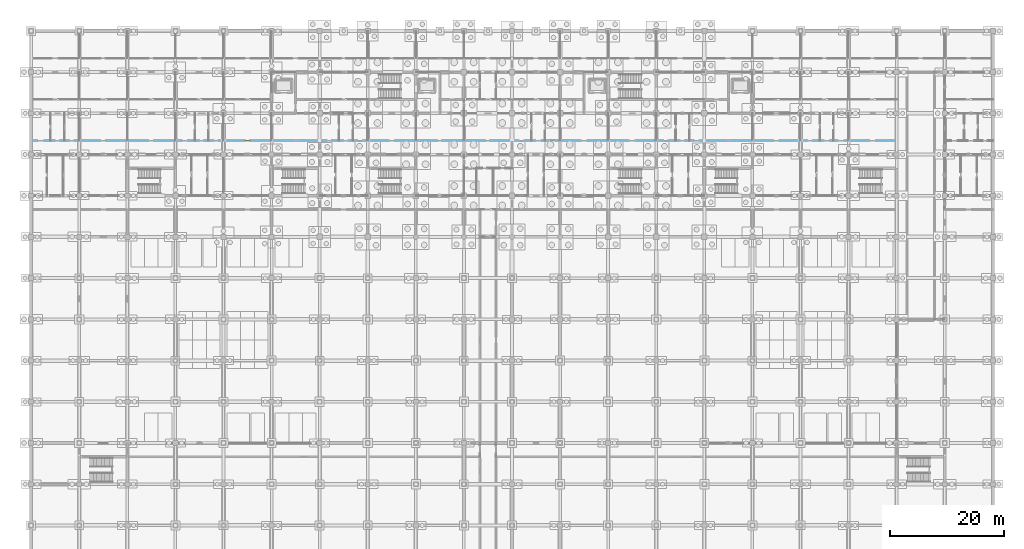
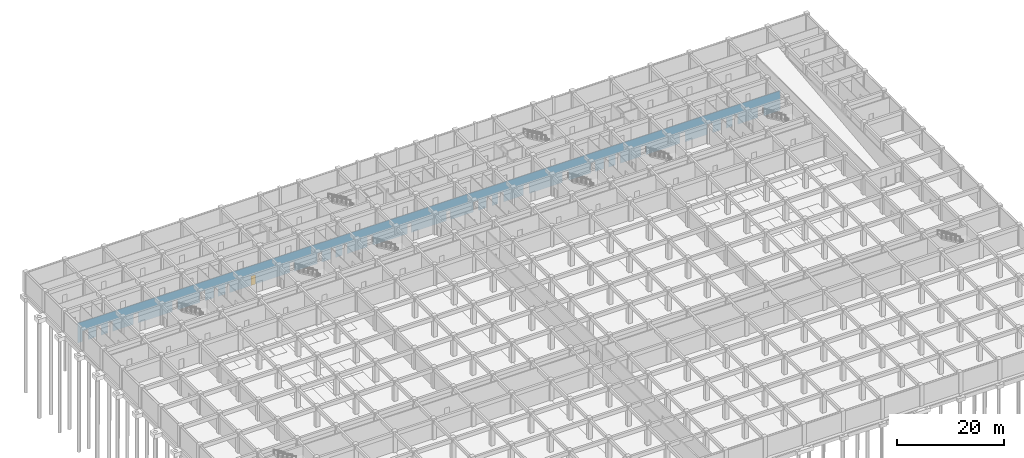
# One storey, part 49 of 85: 1 door, 30 openings, plus 1 element that does not belong to this part.
"""IFC4 building model written with IfcOpenShell, lengths in metres."""

from ifc_helpers import new_model, si_unit, direction, frame, frame_2d, origin, place, context, subcontext, project, spatial, rectangle, extrude, material, layer, layer_set, type_object, element, fill, save


model = new_model("IFC4")

# Units and contexts
model_context = context("Model", 3, precision=1e-05, world=origin(), true_north=direction((0.0, 1.0)))
body_context = subcontext(model_context, "Body", "Model", "MODEL_VIEW")
ifc_project = project(units=[si_unit("LENGTHUNIT", "METRE"), si_unit("AREAUNIT", "SQUARE_METRE"), si_unit("VOLUMEUNIT", "CUBIC_METRE"), si_unit("PLANEANGLEUNIT", "RADIAN"), si_unit("MASSUNIT", "GRAM", prefix="KILO")], contexts=[model_context])

# Site, building, storey
site_placement = place(None, origin())
site = spatial("IfcSite", under=ifc_project, at=site_placement, CompositionType="ELEMENT")
building_placement = place(site_placement, origin())
building = spatial("IfcBuilding", under=site, at=building_placement, Name="Chengyuan Square Courthouse", CompositionType="ELEMENT")
storey_placement = place(building_placement, frame((0.0, 0.0, -10.199951171875)))
storey = spatial("IfcBuildingStorey", under=building, at=storey_placement, Name="B02", CompositionType="ELEMENT", Elevation=-10.199951171875)

# Wall, openings, door
ifc_material_1 = material(Name="Gypsum Plasterboard Acoustic Stud Partition")
ifc_layer = layer(ifc_material_1, 0.10009765625)
ifc_layer_set = layer_set([ifc_layer], Name="Gypsum Plasterboard Acoustic Stud Partition")
wall_type = type_object("IfcWallType", Name="WL-PT6", PredefinedType="STANDARD", material=ifc_layer_set)
wall_placement = place(storey_placement, frame((0.0400390625, 96.0, 0.0), z_axis=(0.0, 0.0, 1.0), x_axis=(1.0, 0.0, 0.0)))
wall = element("IfcWall", 1, at=wall_placement, inside=storey, type_object=wall_type, Name="Interior Wall WL-B02-I062", PredefinedType="STANDARD", context=body_context, shape_type="SweptSolid", body=[
    extrude(rectangle(XDim=151.159912109375, YDim=0.10009765625, at=frame_2d((75.580078125, 0.0))), origin(), (0.0, 0.0, 1.0), 4.47998046875),
])
opening_1_placement = place(wall_placement, frame((1.0400390625, 0.0, 0.0)))
element("IfcOpeningElement", 2, at=opening_1_placement, cuts=wall, Name="Opening DR-148", PredefinedType="OPENING", context=body_context, shape_type="SweptSolid", body=[
    extrude(rectangle(XDim=1.280029296875, YDim=2.35009765625, at=frame_2d((0.64013671875, 1.175048828125))), frame((0.0, 0.06201171875, 0.0), z_axis=(0.0, -1.0, 0.0), x_axis=(1.0, 0.0, 0.0)), (0.0, 0.0, 1.0), 0.1240234375),
])
opening_2_placement = place(wall_placement, frame((4.090087890625, 0.0, 0.0)))
element("IfcOpeningElement", 3, at=opening_2_placement, cuts=wall, Name="Opening DR-149", PredefinedType="OPENING", context=body_context, shape_type="SweptSolid", body=[
    extrude(rectangle(XDim=0.93994140625, YDim=2.300048828125, at=frame_2d((0.469970703125, 1.14990234375))), frame((0.0, 0.06201171875, 0.0), z_axis=(0.0, -1.0, 0.0), x_axis=(1.0, 0.0, 0.0)), (0.0, 0.0, 1.0), 0.1240234375),
])
opening_3_placement = place(wall_placement, frame((6.570068359375, 0.0, 0.0)))
element("IfcOpeningElement", 4, at=opening_3_placement, cuts=wall, Name="Opening DR-150", PredefinedType="OPENING", context=body_context, shape_type="SweptSolid", body=[
    extrude(rectangle(XDim=0.97998046875, YDim=2.35009765625, at=frame_2d((0.489990234375, 1.175048828125))), frame((0.0, 0.06201171875, 0.0), z_axis=(0.0, -1.0, 0.0), x_axis=(1.0, 0.0, 0.0)), (0.0, 0.0, 1.0), 0.1240234375),
])
opening_4_placement = place(wall_placement, frame((12.050048828125, 0.0, 0.0)))
element("IfcOpeningElement", 5, at=opening_4_placement, cuts=wall, Name="Opening DR-151", PredefinedType="OPENING", context=body_context, shape_type="SweptSolid", body=[
    extrude(rectangle(XDim=1.02001953125, YDim=2.39990234375, at=frame_2d((0.510009765625, 1.199951171875))), frame((0.0, 0.06201171875, 0.0), z_axis=(0.0, -1.0, 0.0), x_axis=(1.0, 0.0, 0.0)), (0.0, 0.0, 1.0), 0.1240234375),
])
opening_5_placement = place(wall_placement, frame((20.429931640625, 0.0, 0.0)))
element("IfcOpeningElement", 6, at=opening_5_placement, cuts=wall, Name="Opening DR-152", PredefinedType="OPENING", context=body_context, shape_type="SweptSolid", body=[
    extrude(rectangle(XDim=1.06005859375, YDim=2.39990234375, at=frame_2d((0.530029296875, 1.199951171875))), frame((0.0, 0.06201171875, 0.0), z_axis=(0.0, -1.0, 0.0), x_axis=(1.0, 0.0, 0.0)), (0.0, 0.0, 1.0), 0.1240234375),
])
opening_6_placement = place(wall_placement, frame((26.2900390625, 0.0, 0.0)))
element("IfcOpeningElement", 7, at=opening_6_placement, cuts=wall, Name="Opening DR-153", PredefinedType="OPENING", context=body_context, shape_type="SweptSolid", body=[
    extrude(rectangle(XDim=1.139892578125, YDim=2.39990234375, at=frame_2d((0.56982421875, 1.199951171875))), frame((0.0, 0.06201171875, 0.0), z_axis=(0.0, -1.0, 0.0), x_axis=(1.0, 0.0, 0.0)), (0.0, 0.0, 1.0), 0.1240234375),
])
opening_7_placement = place(wall_placement, frame((29.31005859375, 0.0, 0.0)))
element("IfcOpeningElement", 8, at=opening_7_placement, cuts=wall, Name="Opening DR-154", PredefinedType="OPENING", context=body_context, shape_type="SweptSolid", body=[
    extrude(rectangle(XDim=0.89990234375, YDim=2.14990234375, at=frame_2d((0.449951171875, 1.074951171875))), frame((0.0, 0.06201171875, 0.0), z_axis=(0.0, -1.0, 0.0), x_axis=(1.0, 0.0, 0.0)), (0.0, 0.0, 1.0), 0.1240234375),
])
opening_8_placement = place(wall_placement, frame((31.830078125, 0.0, 0.0)))
element("IfcOpeningElement", 9, at=opening_8_placement, cuts=wall, Name="Opening DR-155", PredefinedType="OPENING", context=body_context, shape_type="SweptSolid", body=[
    extrude(rectangle(XDim=0.860107421875, YDim=2.10009765625, at=frame_2d((0.43017578125, 1.050048828125))), frame((0.0, 0.06201171875, 0.0), z_axis=(0.0, -1.0, 0.0), x_axis=(1.0, 0.0, 0.0)), (0.0, 0.0, 1.0), 0.1240234375),
])
opening_9_placement = place(wall_placement, frame((37.300048828125, 0.0, 0.0)))
opening_9 = element("IfcOpeningElement", 10, at=opening_9_placement, cuts=wall, Name="Opening DR-156", PredefinedType="OPENING", context=body_context, shape_type="SweptSolid", body=[
    extrude(rectangle(XDim=0.919921875, YDim=2.14990234375, at=frame_2d((0.4599609375, 1.074951171875))), frame((0.0, 0.06201171875, 0.0), z_axis=(0.0, -1.0, 0.0), x_axis=(1.0, 0.0, 0.0)), (0.0, 0.0, 1.0), 0.1240234375),
])
opening_10_placement = place(wall_placement, frame((45.679931640625, 0.0, 0.0)))
element("IfcOpeningElement", 11, at=opening_10_placement, cuts=wall, Name="Opening DR-157", PredefinedType="OPENING", context=body_context, shape_type="SweptSolid", body=[
    extrude(rectangle(XDim=0.9599609375, YDim=2.199951171875, at=frame_2d((0.47998046875, 1.10009765625))), frame((0.0, 0.06201171875, 0.0), z_axis=(0.0, -1.0, 0.0), x_axis=(1.0, 0.0, 0.0)), (0.0, 0.0, 1.0), 0.1240234375),
])
opening_11_placement = place(wall_placement, frame((51.570068359375, 0.0, 0.0)))
element("IfcOpeningElement", 12, at=opening_11_placement, cuts=wall, Name="Opening DR-167", PredefinedType="OPENING", context=body_context, shape_type="SweptSolid", body=[
    extrude(rectangle(XDim=0.97998046875, YDim=2.35009765625, at=frame_2d((0.489990234375, 1.175048828125))), frame((0.0, 0.06201171875, 0.0), z_axis=(0.0, -1.0, 0.0), x_axis=(1.0, 0.0, 0.0)), (0.0, 0.0, 1.0), 0.1240234375),
])
opening_12_placement = place(wall_placement, frame((54.449951171875, 0.0, 0.0)))
element("IfcOpeningElement", 13, at=opening_12_placement, cuts=wall, Name="Opening DR-168", PredefinedType="OPENING", context=body_context, shape_type="SweptSolid", body=[
    extrude(rectangle(XDim=1.02001953125, YDim=2.39990234375, at=frame_2d((0.510009765625, 1.199951171875))), frame((0.0, 0.06201171875, 0.0), z_axis=(0.0, -1.0, 0.0), x_axis=(1.0, 0.0, 0.0)), (0.0, 0.0, 1.0), 0.1240234375),
])
opening_13_placement = place(wall_placement, frame((56.929931640625, 0.0, 0.0)))
element("IfcOpeningElement", 14, at=opening_13_placement, cuts=wall, Name="Opening DR-169", PredefinedType="OPENING", context=body_context, shape_type="SweptSolid", body=[
    extrude(rectangle(XDim=1.06005859375, YDim=2.39990234375, at=frame_2d((0.530029296875, 1.199951171875))), frame((0.0, 0.06201171875, 0.0), z_axis=(0.0, -1.0, 0.0), x_axis=(1.0, 0.0, 0.0)), (0.0, 0.0, 1.0), 0.1240234375),
])
opening_14_placement = place(wall_placement, frame((62.389892578125, 0.0, 0.0)))
element("IfcOpeningElement", 15, at=opening_14_placement, cuts=wall, Name="Opening DR-170", PredefinedType="OPENING", context=body_context, shape_type="SweptSolid", body=[
    extrude(rectangle(XDim=1.139892578125, YDim=2.39990234375, at=frame_2d((0.56982421875, 1.199951171875))), frame((0.0, 0.06201171875, 0.0), z_axis=(0.0, -1.0, 0.0), x_axis=(1.0, 0.0, 0.0)), (0.0, 0.0, 1.0), 0.1240234375),
])
opening_15_placement = place(wall_placement, frame((70.909912109375, 0.0, 0.0)))
element("IfcOpeningElement", 16, at=opening_15_placement, cuts=wall, Name="Opening DR-171", PredefinedType="OPENING", context=body_context, shape_type="SweptSolid", body=[
    extrude(rectangle(XDim=0.89990234375, YDim=2.14990234375, at=frame_2d((0.449951171875, 1.074951171875))), frame((0.0, 0.06201171875, 0.0), z_axis=(0.0, -1.0, 0.0), x_axis=(1.0, 0.0, 0.0)), (0.0, 0.0, 1.0), 0.1240234375),
])
opening_16_placement = place(wall_placement, frame((79.330078125, 0.0, 0.0)))
element("IfcOpeningElement", 17, at=opening_16_placement, cuts=wall, Name="Opening DR-172", PredefinedType="OPENING", context=body_context, shape_type="SweptSolid", body=[
    extrude(rectangle(XDim=0.860107421875, YDim=2.10009765625, at=frame_2d((0.43017578125, 1.050048828125))), frame((0.0, 0.06201171875, 0.0), z_axis=(0.0, -1.0, 0.0), x_axis=(1.0, 0.0, 0.0)), (0.0, 0.0, 1.0), 0.1240234375),
])
opening_17_placement = place(wall_placement, frame((85.10009765625, 0.0, 0.0)))
element("IfcOpeningElement", 18, at=opening_17_placement, cuts=wall, Name="Opening DR-178", PredefinedType="OPENING", context=body_context, shape_type="SweptSolid", body=[
    extrude(rectangle(XDim=1.1201171875, YDim=2.25, at=frame_2d((0.56005859375, 1.125))), frame((0.0, 0.06201171875, 0.0), z_axis=(0.0, -1.0, 0.0), x_axis=(1.0, 0.0, 0.0)), (0.0, 0.0, 1.0), 0.1240234375),
])
opening_18_placement = place(wall_placement, frame((87.97998046875, 0.0, 0.0)))
element("IfcOpeningElement", 19, at=opening_18_placement, cuts=wall, Name="Opening DR-179", PredefinedType="OPENING", context=body_context, shape_type="SweptSolid", body=[
    extrude(rectangle(XDim=1.159912109375, YDim=2.300048828125, at=frame_2d((0.580078125, 1.14990234375))), frame((0.0, 0.06201171875, 0.0), z_axis=(0.0, -1.0, 0.0), x_axis=(1.0, 0.0, 0.0)), (0.0, 0.0, 1.0), 0.1240234375),
])
opening_19_placement = place(wall_placement, frame((90.4599609375, 0.0, 0.0)))
element("IfcOpeningElement", 20, at=opening_19_placement, cuts=wall, Name="Opening DR-180", PredefinedType="OPENING", context=body_context, shape_type="SweptSolid", body=[
    extrude(rectangle(XDim=1.199951171875, YDim=2.35009765625, at=frame_2d((0.60009765625, 1.175048828125))), frame((0.0, 0.06201171875, 0.0), z_axis=(0.0, -1.0, 0.0), x_axis=(1.0, 0.0, 0.0)), (0.0, 0.0, 1.0), 0.1240234375),
])
opening_20_placement = place(wall_placement, frame((95.93994140625, 0.0, 0.0)))
element("IfcOpeningElement", 21, at=opening_20_placement, cuts=wall, Name="Opening DR-181", PredefinedType="OPENING", context=body_context, shape_type="SweptSolid", body=[
    extrude(rectangle(XDim=1.239990234375, YDim=2.300048828125, at=frame_2d((0.6201171875, 1.14990234375))), frame((0.0, 0.06201171875, 0.0), z_axis=(0.0, -1.0, 0.0), x_axis=(1.0, 0.0, 0.0)), (0.0, 0.0, 1.0), 0.1240234375),
])
opening_21_placement = place(wall_placement, frame((104.320068359375, 0.0, 0.0)))
element("IfcOpeningElement", 22, at=opening_21_placement, cuts=wall, Name="Opening DR-182", PredefinedType="OPENING", context=body_context, shape_type="SweptSolid", body=[
    extrude(rectangle(XDim=1.280029296875, YDim=2.35009765625, at=frame_2d((0.64013671875, 1.175048828125))), frame((0.0, 0.06201171875, 0.0), z_axis=(0.0, -1.0, 0.0), x_axis=(1.0, 0.0, 0.0)), (0.0, 0.0, 1.0), 0.1240234375),
])
opening_22_placement = place(wall_placement, frame((110.389892578125, 0.0, 0.0)))
element("IfcOpeningElement", 23, at=opening_22_placement, cuts=wall, Name="Opening DR-183", PredefinedType="OPENING", context=body_context, shape_type="SweptSolid", body=[
    extrude(rectangle(XDim=0.93994140625, YDim=2.300048828125, at=frame_2d((0.469970703125, 1.14990234375))), frame((0.0, 0.06201171875, 0.0), z_axis=(0.0, -1.0, 0.0), x_axis=(1.0, 0.0, 0.0)), (0.0, 0.0, 1.0), 0.1240234375),
])
opening_23_placement = place(wall_placement, frame((113.27001953125, 0.0, 0.0)))
element("IfcOpeningElement", 24, at=opening_23_placement, cuts=wall, Name="Opening DR-184", PredefinedType="OPENING", context=body_context, shape_type="SweptSolid", body=[
    extrude(rectangle(XDim=0.97998046875, YDim=2.35009765625, at=frame_2d((0.489990234375, 1.175048828125))), frame((0.0, 0.06201171875, 0.0), z_axis=(0.0, -1.0, 0.0), x_axis=(1.0, 0.0, 0.0)), (0.0, 0.0, 1.0), 0.1240234375),
])
opening_24_placement = place(wall_placement, frame((115.75, 0.0, 0.0)))
element("IfcOpeningElement", 25, at=opening_24_placement, cuts=wall, Name="Opening DR-185", PredefinedType="OPENING", context=body_context, shape_type="SweptSolid", body=[
    extrude(rectangle(XDim=1.02001953125, YDim=2.39990234375, at=frame_2d((0.510009765625, 1.199951171875))), frame((0.0, 0.06201171875, 0.0), z_axis=(0.0, -1.0, 0.0), x_axis=(1.0, 0.0, 0.0)), (0.0, 0.0, 1.0), 0.1240234375),
])
opening_25_placement = place(wall_placement, frame((121.239990234375, 0.0, 0.0)))
element("IfcOpeningElement", 26, at=opening_25_placement, cuts=wall, Name="Opening DR-193", PredefinedType="OPENING", context=body_context, shape_type="SweptSolid", body=[
    extrude(rectangle(XDim=1.0400390625, YDim=2.199951171875, at=frame_2d((0.52001953125, 1.10009765625))), frame((0.0, 0.06201171875, 0.0), z_axis=(0.0, -1.0, 0.0), x_axis=(1.0, 0.0, 0.0)), (0.0, 0.0, 1.0), 0.1240234375),
])
opening_26_placement = place(wall_placement, frame((129.6201171875, 0.0, 0.0)))
element("IfcOpeningElement", 27, at=opening_26_placement, cuts=wall, Name="Opening DR-194", PredefinedType="OPENING", context=body_context, shape_type="SweptSolid", body=[
    extrude(rectangle(XDim=1.080078125, YDim=2.25, at=frame_2d((0.5400390625, 1.125))), frame((0.0, 0.06201171875, 0.0), z_axis=(0.0, -1.0, 0.0), x_axis=(1.0, 0.0, 0.0)), (0.0, 0.0, 1.0), 0.1240234375),
])
opening_27_placement = place(wall_placement, frame((135.5, 0.0, 0.0)))
element("IfcOpeningElement", 28, at=opening_27_placement, cuts=wall, Name="Opening DR-195", PredefinedType="OPENING", context=body_context, shape_type="SweptSolid", body=[
    extrude(rectangle(XDim=1.1201171875, YDim=2.25, at=frame_2d((0.56005859375, 1.125))), frame((0.0, 0.06201171875, 0.0), z_axis=(0.0, -1.0, 0.0), x_axis=(1.0, 0.0, 0.0)), (0.0, 0.0, 1.0), 0.1240234375),
])
opening_28_placement = place(wall_placement, frame((138.3798828125, 0.0, 0.0)))
element("IfcOpeningElement", 29, at=opening_28_placement, cuts=wall, Name="Opening DR-196", PredefinedType="OPENING", context=body_context, shape_type="SweptSolid", body=[
    extrude(rectangle(XDim=1.159912109375, YDim=2.300048828125, at=frame_2d((0.580078125, 1.14990234375))), frame((0.0, 0.06201171875, 0.0), z_axis=(0.0, -1.0, 0.0), x_axis=(1.0, 0.0, 0.0)), (0.0, 0.0, 1.0), 0.1240234375),
])
opening_29_placement = place(wall_placement, frame((140.860107421875, 0.0, 0.0)))
element("IfcOpeningElement", 30, at=opening_29_placement, cuts=wall, Name="Opening DR-197", PredefinedType="OPENING", context=body_context, shape_type="SweptSolid", body=[
    extrude(rectangle(XDim=1.199951171875, YDim=2.35009765625, at=frame_2d((0.60009765625, 1.175048828125))), frame((0.0, 0.06201171875, 0.0), z_axis=(0.0, -1.0, 0.0), x_axis=(1.0, 0.0, 0.0)), (0.0, 0.0, 1.0), 0.1240234375),
])
opening_30_placement = place(wall_placement, frame((146.340087890625, 0.0, 0.0)))
element("IfcOpeningElement", 31, at=opening_30_placement, cuts=wall, Name="Opening DR-198", PredefinedType="OPENING", context=body_context, shape_type="SweptSolid", body=[
    extrude(rectangle(XDim=1.239990234375, YDim=2.300048828125, at=frame_2d((0.6201171875, 1.14990234375))), frame((0.0, 0.06201171875, 0.0), z_axis=(0.0, -1.0, 0.0), x_axis=(1.0, 0.0, 0.0)), (0.0, 0.0, 1.0), 0.1240234375),
])
ifc_material_2 = material(Name="Acoustic Solid-Core Timber Door", Category="wood")
door_type = type_object("IfcDoorType", Name="DT-29", OperationType="NOTDEFINED", PredefinedType="DOOR", material=ifc_material_2)
door_placement = place(opening_9_placement, origin())
door = element("IfcDoor", 32, at=door_placement, inside=storey, type_object=door_type, Name="Interior Door DR-156", OperationType="SINGLE_SWING_LEFT", OverallHeight=2.14990234375, OverallWidth=0.919921875, PredefinedType="DOOR", context=body_context, shape_type="SweptSolid", body=[
    extrude(rectangle(XDim=0.919921875, YDim=2.14990234375, at=frame_2d((0.4599609375, 1.074951171875))), frame((0.0, 0.02490234375, 0.0), z_axis=(0.0, -1.0, 0.0), x_axis=(1.0, 0.0, 0.0)), (0.0, 0.0, 1.0), 0.050048828125),
])
fill(opening_9, door)

save(model, "model.ifc")
